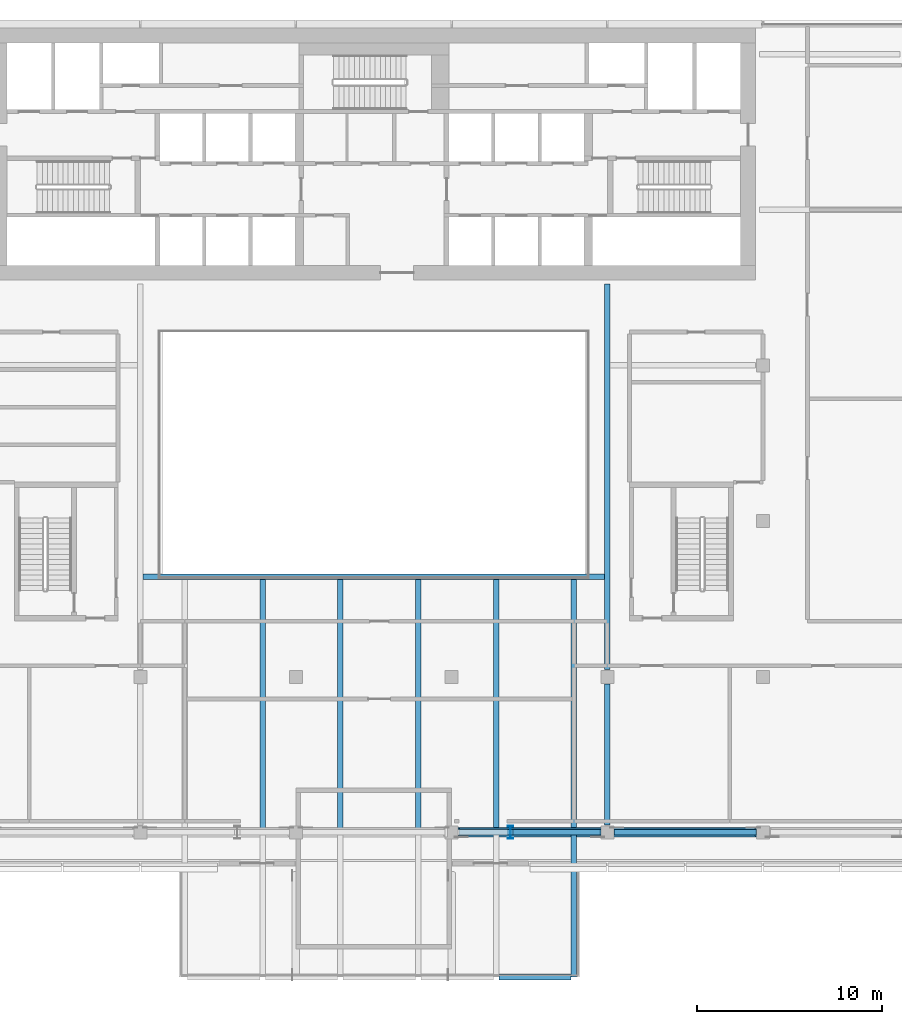
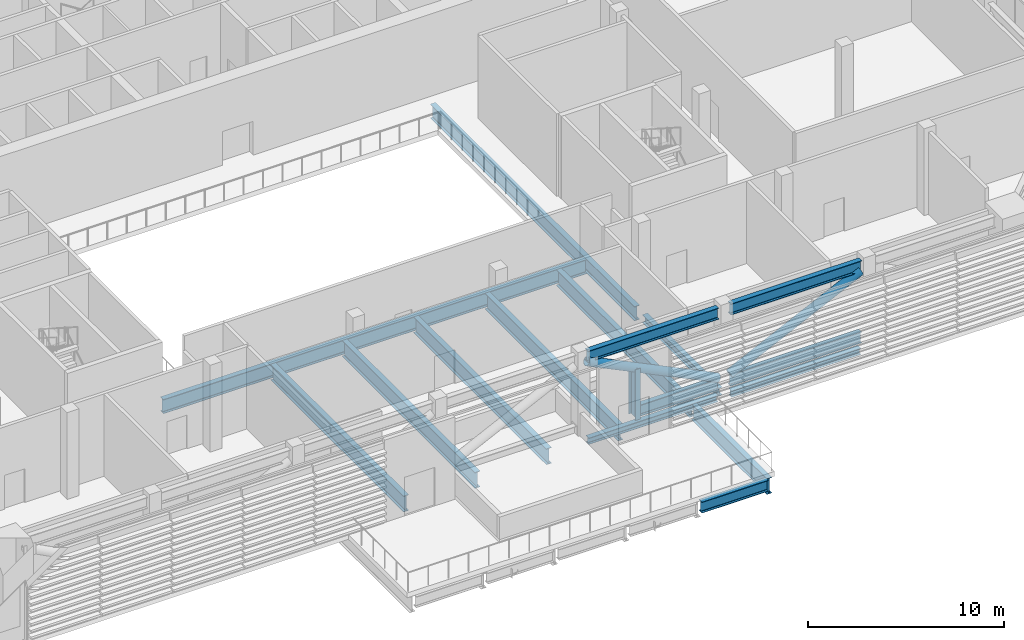
# One storey, part 5 of 29: 12 beams, 7 members.
"""IFC4 building model written with IfcOpenShell, lengths in metres."""

from ifc_helpers import new_model, si_unit, direction, frame, origin, origin_2d, place, context, subcontext, project, spatial, hollow_circle, i_section, extrude, material, material_profile, profile_set, type_object, element, save


model = new_model("IFC4")

# Units and contexts
model_context = context("Model", 3, precision=1e-05, world=origin(), true_north=direction((0.0, 1.0)))
body_context = subcontext(model_context, "Body", "Model", "MODEL_VIEW")
ifc_project = project(units=[si_unit("LENGTHUNIT", "METRE"), si_unit("AREAUNIT", "SQUARE_METRE"), si_unit("VOLUMEUNIT", "CUBIC_METRE"), si_unit("PLANEANGLEUNIT", "RADIAN"), si_unit("MASSUNIT", "GRAM", prefix="KILO")], contexts=[model_context])

# Site, building, storey
site_placement = place(None, origin())
site = spatial("IfcSite", under=ifc_project, at=site_placement, CompositionType="ELEMENT")
building_placement = place(site_placement, origin())
building = spatial("IfcBuilding", under=site, at=building_placement, Name="Saffron Gate Tower", CompositionType="ELEMENT")
storey_placement = place(building_placement, frame((0.0, 0.0, 142.050048828125)))
storey = spatial("IfcBuildingStorey", under=building, at=storey_placement, Name="L34", CompositionType="ELEMENT", Elevation=142.050048828125)

# Beams
ifc_material = material(Name="Structural steel S355", Category="steel")
ifc_material_profile_1 = material_profile(ifc_material, i_section(OverallWidth=0.300048828125, OverallDepth=0.68994140625, WebThickness=0.014404296875, FlangeThickness=0.027099609375, FilletRadius=0.027099609375, at=origin_2d()))
ifc_profile_set_1 = profile_set([ifc_material_profile_1], Name="Structural steel S355")
beam_type_1 = type_object("IfcBeamType", Name="B17 HEA 700", PredefinedType="BEAM", material=ifc_profile_set_1)
beam_1_placement = place(storey_placement, frame((94.35009765625, 24.0, -0.64501953125), z_axis=(1.0, 0.0, 0.0), x_axis=(0.0, 1.0, 0.0)))
element("IfcBeam", 1, at=beam_1_placement, inside=storey, type_object=beam_type_1, Name="B17 POOL EDGE BEAM", PredefinedType="BEAM", context=body_context, shape_type="SweptSolid", body=[
    extrude(i_section(OverallWidth=0.300048828125, OverallDepth=0.68994140625, WebThickness=0.014404296875, FlangeThickness=0.027099609375, FilletRadius=0.027099609375, at=origin_2d()), origin(), (0.0, 0.0, 1.0), 3.89990234375),
])
ifc_material_profile_2 = material_profile(ifc_material, i_section(OverallWidth=0.300048828125, OverallDepth=0.889892578125, WebThickness=0.01611328125, FlangeThickness=0.030029296875, FilletRadius=0.030029296875, at=origin_2d()))
ifc_profile_set_2 = profile_set([ifc_material_profile_2], Name="Structural steel S355")
beam_type_2 = type_object("IfcBeamType", Name="B19 HEA 900", PredefinedType="BEAM", material=ifc_profile_set_2)
beam_2_placement = place(storey_placement, frame((100.199951171875, 40.60009765625, -0.7451171875), z_axis=(0.0, 1.0, 0.0), x_axis=(-1.0, 0.0, 0.0)))
element("IfcBeam", 2, at=beam_2_placement, inside=storey, type_object=beam_type_2, Name="B19 ATRIUM GIRDER", PredefinedType="BEAM", context=body_context, shape_type="SweptSolid", body=[
    extrude(i_section(OverallWidth=0.300048828125, OverallDepth=0.889892578125, WebThickness=0.01611328125, FlangeThickness=0.030029296875, FilletRadius=0.030029296875, at=origin_2d()), origin(), (0.0, 0.0, 1.0), 20.7998046875),
])
beam_3_placement = place(storey_placement, frame((75.14990234375, 45.60009765625, -0.7451171875), z_axis=(1.0, 0.0, 0.0), x_axis=(0.0, 1.0, 0.0)))
element("IfcBeam", 3, at=beam_3_placement, inside=storey, type_object=beam_type_2, Name="B19 ATRIUM GIRDER", PredefinedType="BEAM", context=body_context, shape_type="SweptSolid", body=[
    extrude(i_section(OverallWidth=0.300048828125, OverallDepth=0.889892578125, WebThickness=0.01611328125, FlangeThickness=0.030029296875, FilletRadius=0.030029296875, at=origin_2d()), origin(), (0.0, 0.0, 1.0), 24.900146484375),
])
ifc_material_profile_3 = material_profile(ifc_material, i_section(OverallWidth=0.300048828125, OverallDepth=0.39990234375, WebThickness=0.013427734375, FlangeThickness=0.02392578125, FilletRadius=0.027099609375, at=origin_2d()))
ifc_profile_set_3 = profile_set([ifc_material_profile_3], Name="Structural steel S355")
beam_type_3 = type_object("IfcBeamType", Name="B3 HEB 400", PredefinedType="SPANDREL", material=ifc_profile_set_3)
beam_4_placement = place(storey_placement, frame((92.199951171875, 31.800048828125, -0.5), z_axis=(1.0, 0.0, 0.0), x_axis=(0.0, 1.0, 0.0)))
element("IfcBeam", 4, at=beam_4_placement, inside=storey, type_object=beam_type_3, Name="B3 SPANDREL BEAM", PredefinedType="SPANDREL", context=body_context, shape_type="SweptSolid", body=[
    extrude(i_section(OverallWidth=0.300048828125, OverallDepth=0.39990234375, WebThickness=0.013427734375, FlangeThickness=0.02392578125, FilletRadius=0.027099609375, at=origin_2d()), origin(), (0.0, 0.0, 1.0), 7.60009765625),
])
beam_5_placement = place(storey_placement, frame((100.60009765625, 31.800048828125, -0.5), z_axis=(1.0, 0.0, 0.0), x_axis=(0.0, 1.0, 0.0)))
element("IfcBeam", 5, at=beam_5_placement, inside=storey, type_object=beam_type_3, Name="B3 SPANDREL BEAM", PredefinedType="SPANDREL", context=body_context, shape_type="SweptSolid", body=[
    extrude(i_section(OverallWidth=0.300048828125, OverallDepth=0.39990234375, WebThickness=0.013427734375, FlangeThickness=0.02392578125, FilletRadius=0.027099609375, at=origin_2d()), origin(), (0.0, 0.0, 1.0), 7.599853515625),
])
ifc_material_profile_4 = material_profile(ifc_material, i_section(OverallWidth=0.300048828125, OverallDepth=0.489990234375, WebThickness=0.011962890625, FlangeThickness=0.02294921875, FilletRadius=0.027099609375, at=origin_2d()))
ifc_profile_set_4 = profile_set([ifc_material_profile_4], Name="Structural steel S355")
beam_type_4 = type_object("IfcBeamType", Name="B8 HEA 500", PredefinedType="BEAM", material=ifc_profile_set_4)
beam_6_placement = place(storey_placement, frame((100.199951171875, 32.199951171875, -0.545166015625), z_axis=(0.0, 1.0, 0.0), x_axis=(-1.0, 0.0, 0.0)))
element("IfcBeam", 6, at=beam_6_placement, inside=storey, type_object=beam_type_4, Name="B8 FLOOR GIRDER", PredefinedType="BEAM", context=body_context, shape_type="SweptSolid", body=[
    extrude(i_section(OverallWidth=0.300048828125, OverallDepth=0.489990234375, WebThickness=0.011962890625, FlangeThickness=0.02294921875, FilletRadius=0.027099609375, at=origin_2d()), origin(), (0.0, 0.0, 1.0), 7.60009765625),
])

# Members
ifc_material_profile_5 = material_profile(ifc_material, i_section(OverallWidth=0.300048828125, OverallDepth=0.699951171875, WebThickness=0.01708984375, FlangeThickness=0.031982421875, FilletRadius=0.027099609375, at=origin_2d()))
ifc_profile_set_5 = profile_set([ifc_material_profile_5], Name="Structural steel S355")
member_type_1 = type_object("IfcMemberType", Name="BT1 HEB 700", PredefinedType="CHORD", material=ifc_profile_set_5)
member_1_placement = place(storey_placement, frame((92.14990234375, 31.800048828125, 4.77001953125), z_axis=(1.0, 0.0, 0.0), x_axis=(0.0, 1.0, 0.0)))
element("IfcMember", 7, at=member_1_placement, inside=storey, type_object=member_type_1, Name="BT1 BELT TRUSS TOP CHORD", PredefinedType="CHORD", context=body_context, shape_type="SweptSolid", body=[
    extrude(i_section(OverallWidth=0.300048828125, OverallDepth=0.699951171875, WebThickness=0.01708984375, FlangeThickness=0.031982421875, FilletRadius=0.027099609375, at=origin_2d()), origin(), (0.0, 0.0, 1.0), 7.7001953125),
])
member_2_placement = place(storey_placement, frame((95.1201171875, 31.800048828125, 0.349853515625), z_axis=(1.0, 0.0, 0.0), x_axis=(0.0, 1.0, 0.0)))
element("IfcMember", 8, at=member_2_placement, inside=storey, type_object=member_type_1, Name="BT1 BELT TRUSS BOTTOM CHORD", PredefinedType="CHORD", context=body_context, shape_type="SweptSolid", body=[
    extrude(i_section(OverallWidth=0.300048828125, OverallDepth=0.699951171875, WebThickness=0.01708984375, FlangeThickness=0.031982421875, FilletRadius=0.027099609375, at=origin_2d()), origin(), (0.0, 0.0, 1.0), 4.72998046875),
])
member_3_placement = place(storey_placement, frame((94.969970703125, 31.800048828125, 0.0), z_axis=(0.0, 0.0, 1.0), x_axis=(1.0, 0.0, 0.0)))
element("IfcMember", 9, at=member_3_placement, inside=storey, type_object=member_type_1, Name="BT1 BELT TRUSS DOOR JAMB POST", PredefinedType="CHORD", context=body_context, shape_type="SweptSolid", body=[
    extrude(i_section(OverallWidth=0.300048828125, OverallDepth=0.699951171875, WebThickness=0.01708984375, FlangeThickness=0.031982421875, FilletRadius=0.027099609375, at=origin_2d()), origin(), (0.0, 0.0, 1.0), 3.14990234375),
])
for number, where, z_axis, x_axis, name in (
    (10, (100.550048828125, 31.800048828125, 4.77001953125), (1.0, 0.0, 0.0), (0.0, 1.0, 0.0), "BT1 BELT TRUSS TOP CHORD"),
    (11, (100.550048828125, 31.800048828125, 0.349853515625), (1.0, 0.0, 0.0), (0.0, 1.0, 0.0), "BT1 BELT TRUSS BOTTOM CHORD"),
):
    element("IfcMember", number, at=place(storey_placement, frame(where, z_axis=z_axis, x_axis=x_axis)), inside=storey, type_object=member_type_1, Name=name, PredefinedType="CHORD", context=body_context, shape_type="SweptSolid", body=[
        extrude(i_section(OverallWidth=0.300048828125, OverallDepth=0.699951171875, WebThickness=0.01708984375, FlangeThickness=0.031982421875, FilletRadius=0.027099609375, at=origin_2d()), origin(), (0.0, 0.0, 1.0), 7.699951171875),
    ])
ifc_material_profile_6 = material_profile(ifc_material, hollow_circle(Radius=0.25390625, WallThickness=0.01611328125, at=origin_2d()))
ifc_profile_set_6 = profile_set([ifc_material_profile_6], Name="Structural steel S355")
member_type_2 = type_object("IfcMemberType", Name="BT5 CHS 508x16", PredefinedType="BRACE", material=ifc_profile_set_6)
member_4_placement = place(storey_placement, frame((99.85009765625, 31.800048828125, 0.699951171875), z_axis=(-0.900430964188, 0.0, 0.434998941069), x_axis=(0.0, -1.0, 0.0)))
element("IfcMember", 12, at=member_4_placement, inside=storey, type_object=member_type_2, Name="BT5 BELT TRUSS DIAGONAL", PredefinedType="BRACE", context=body_context, shape_type="SweptSolid", body=[
    extrude(hollow_circle(Radius=0.25390625, WallThickness=0.01611328125, at=origin_2d()), origin(), (0.0, 0.0, 1.0), 8.5517578125),
])
member_5_placement = place(storey_placement, frame((100.550048828125, 31.800048828125, 0.699951171875), z_axis=(0.900425561848, 0.0, 0.435010123526), x_axis=(0.0, 1.0, 0.0)))
element("IfcMember", 13, at=member_5_placement, inside=storey, type_object=member_type_2, Name="BT5 BELT TRUSS DIAGONAL", PredefinedType="BRACE", context=body_context, shape_type="SweptSolid", body=[
    extrude(hollow_circle(Radius=0.25390625, WallThickness=0.01611328125, at=origin_2d()), origin(), (0.0, 0.0, 1.0), 8.551513671875),
])

# Beams
ifc_material_profile_7 = material_profile(ifc_material, i_section(OverallWidth=0.300048828125, OverallDepth=0.989990234375, WebThickness=0.0166015625, FlangeThickness=0.031005859375, FilletRadius=0.030029296875, at=origin_2d()))
ifc_profile_set_7 = profile_set([ifc_material_profile_7], Name="Structural steel S355")
beam_type_5 = type_object("IfcBeamType", Name="PB1 HEA 1000 POOL CANTILEVER", PredefinedType="BEAM", material=ifc_profile_set_7)
for number, where, z_axis, x_axis, name in (
    (14, (81.60009765625, 31.905029296875, -0.795166015625), (0.0, 1.0, 0.0), (-1.0, 0.0, 0.0), "PB1 POOL CANTILEVER BEAM"),
    (15, (85.800048828125, 31.905029296875, -0.795166015625), (0.0, 1.0, 0.0), (-1.0, 0.0, 0.0), "PB1 POOL CANTILEVER BEAM"),
    (16, (90.0, 31.905029296875, -0.795166015625), (0.0, 1.0, 0.0), (-1.0, 0.0, 0.0), "PB1 POOL CANTILEVER BEAM"),
    (17, (94.199951171875, 31.905029296875, -0.795166015625), (0.0, 1.0, 0.0), (-1.0, 0.0, 0.0), "PB1 POOL CANTILEVER BEAM"),
):
    element("IfcBeam", number, at=place(storey_placement, frame(where, z_axis=z_axis, x_axis=x_axis)), inside=storey, type_object=beam_type_5, Name=name, PredefinedType="BEAM", context=body_context, shape_type="SweptSolid", body=[
        extrude(i_section(OverallWidth=0.300048828125, OverallDepth=0.989990234375, WebThickness=0.0166015625, FlangeThickness=0.031005859375, FilletRadius=0.030029296875, at=origin_2d()), origin(), (0.0, 0.0, 1.0), 13.544921875),
    ])
beam_7_placement = place(storey_placement, frame((98.39990234375, 24.0, -0.795166015625), z_axis=(0.0, 1.0, 0.0), x_axis=(-1.0, 0.0, 0.0)))
element("IfcBeam", 18, at=beam_7_placement, inside=storey, type_object=beam_type_5, Name="PB1 POOL CANTILEVER BEAM", PredefinedType="BEAM", context=body_context, shape_type="SweptSolid", body=[
    extrude(i_section(OverallWidth=0.300048828125, OverallDepth=0.989990234375, WebThickness=0.0166015625, FlangeThickness=0.031005859375, FilletRadius=0.030029296875, at=origin_2d()), origin(), (0.0, 0.0, 1.0), 7.695068359375),
])
beam_8_placement = place(storey_placement, frame((98.39990234375, 31.905029296875, -0.795166015625), z_axis=(0.0, 1.0, 0.0), x_axis=(-1.0, 0.0, 0.0)))
element("IfcBeam", 19, at=beam_8_placement, inside=storey, type_object=beam_type_5, Name="PB1 POOL CANTILEVER BEAM", PredefinedType="BEAM", context=body_context, shape_type="SweptSolid", body=[
    extrude(i_section(OverallWidth=0.300048828125, OverallDepth=0.989990234375, WebThickness=0.0166015625, FlangeThickness=0.031005859375, FilletRadius=0.030029296875, at=origin_2d()), origin(), (0.0, 0.0, 1.0), 13.544921875),
])

save(model, "model.ifc")
